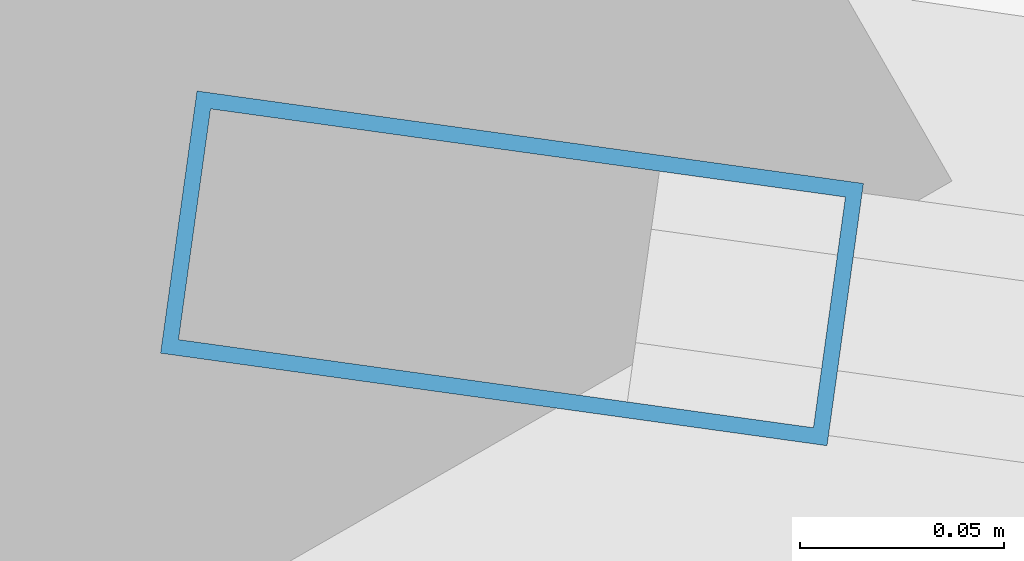
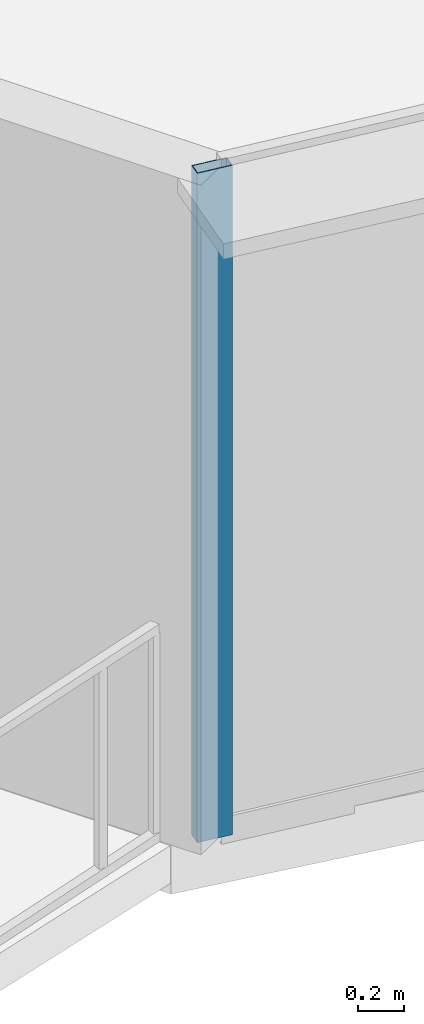
# One storey, part 2 of 37: 1 member, 1 element without a shape of its own.
"""IFC4 building model written with IfcOpenShell, lengths in metres."""

from ifc_helpers import new_model, si_unit, direction, frame, origin, origin_2d, place, context, subcontext, project, spatial, hollow_rectangle, extrude, source, transform, mapped, material, layer, layer_set, material_profile, profile_set, type_object, element, aggregate, save


model = new_model("IFC4")

# Units and contexts
model_context = context("Model", 3, precision=1e-05, world=origin(), true_north=direction((0.0, 1.0)))
body_context = subcontext(model_context, "Body", "Model", "MODEL_VIEW")
ifc_project = project(units=[si_unit("LENGTHUNIT", "METRE"), si_unit("AREAUNIT", "SQUARE_METRE"), si_unit("VOLUMEUNIT", "CUBIC_METRE"), si_unit("PLANEANGLEUNIT", "RADIAN"), si_unit("MASSUNIT", "GRAM", prefix="KILO"), si_unit("THERMODYNAMICTEMPERATUREUNIT", "KELVIN"), si_unit("POWERUNIT", "WATT")], contexts=[model_context])

# Site, building, storey
site_placement = place(None, origin())
site = spatial("IfcSite", under=ifc_project, at=site_placement, CompositionType="ELEMENT")
building_placement = place(site_placement, origin())
building = spatial("IfcBuilding", under=site, at=building_placement, Name="Yunzhuo Pagoda Commons", CompositionType="ELEMENT")
storey_placement = place(building_placement, frame((0.0, 0.0, 84.97998046875)))
storey = spatial("IfcBuildingStorey", under=building, at=storey_placement, Name="L21", CompositionType="ELEMENT", Elevation=84.97998046875)

# Curtain wall, member
ifc_material = material(Name="Anodized aluminium 6063-T6", Category="aluminium")
ifc_layer = layer(ifc_material, 0.1650390625)
ifc_layer_set = layer_set([ifc_layer], Name="Anodized aluminium 6063-T6")
curtain_wall_type = type_object("IfcCurtainWallType", Name="CW-LOW Low-Zone Ribbon Curtain Wall", PredefinedType="NOTDEFINED", material=ifc_layer_set)
curtain_wall_placement = place(storey_placement, origin())
curtain_wall = element("IfcCurtainWall", 1, at=curtain_wall_placement, inside=storey, type_object=curtain_wall_type, Name="L21 curtain wall CW-L21-F1B1", PredefinedType="NOTDEFINED")
ifc_material_profile = material_profile(ifc_material, hollow_rectangle(XDim=0.06494140625, YDim=0.1650390625, WallThickness=0.00390625, at=origin_2d()), Name="Anodized aluminium 6063-T6")
ifc_profile_set = profile_set([ifc_material_profile], Name="Anodized aluminium 6063-T6")
member_type = type_object("IfcMemberType", Name="CW-LOW-M Mullion RHS 165x65x4", PredefinedType="MULLION", material=ifc_profile_set)
shared_shape = source(origin(), body_context, "Body", "SweptSolid", [
    extrude(hollow_rectangle(XDim=0.06494140625, YDim=0.1650390625, WallThickness=0.00390625, at=origin_2d()), origin(), (0.0, 0.0, 1.0), 3.5400390625),
])
member_placement = place(storey_placement, frame((10.494873046875, 15.00634765625, 0.000244140625), z_axis=(0.0, 0.0, 1.0), x_axis=(0.137495700118, 0.990502363677, 0.0)))
member = element("IfcMember", 2, at=member_placement, type_object=member_type, Name="CW mullion 1", PredefinedType="MULLION", context=body_context, shape_type="MappedRepresentation", body=[
    mapped(shared_shape, transform((0.0, 0.0, 0.0), scale=1.0)),
])
aggregate(curtain_wall, [member])

save(model, "model.ifc")
